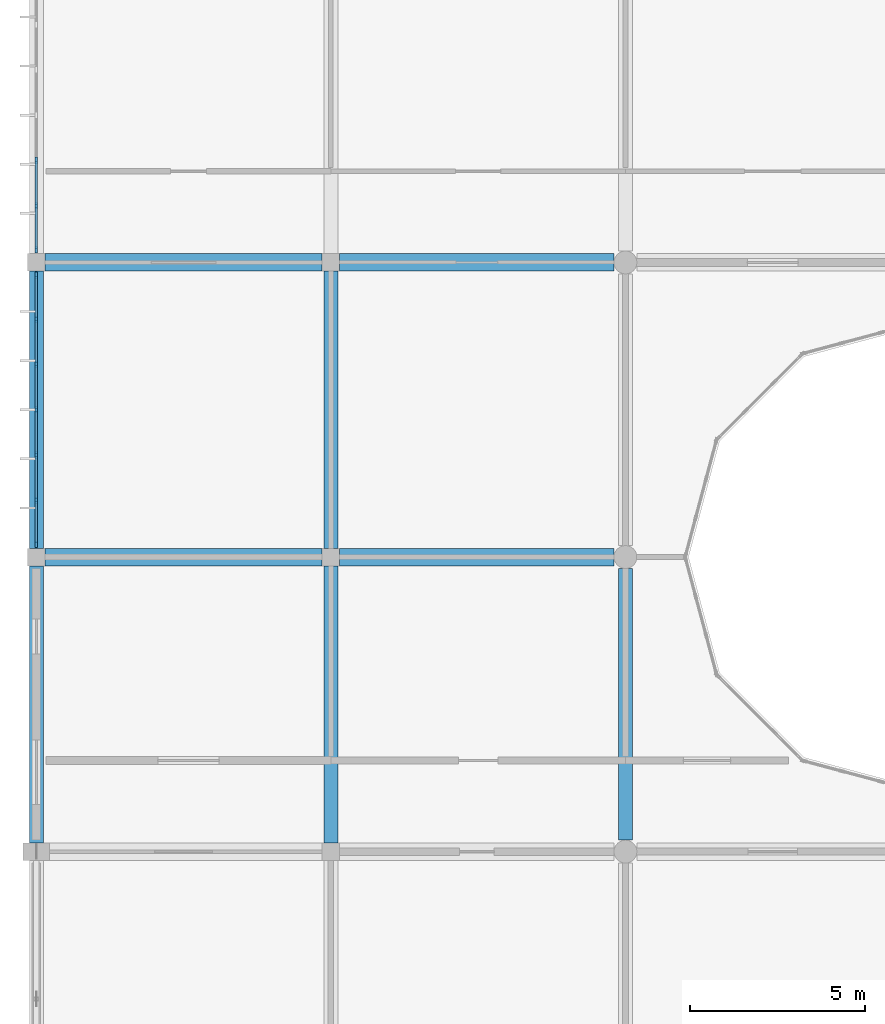
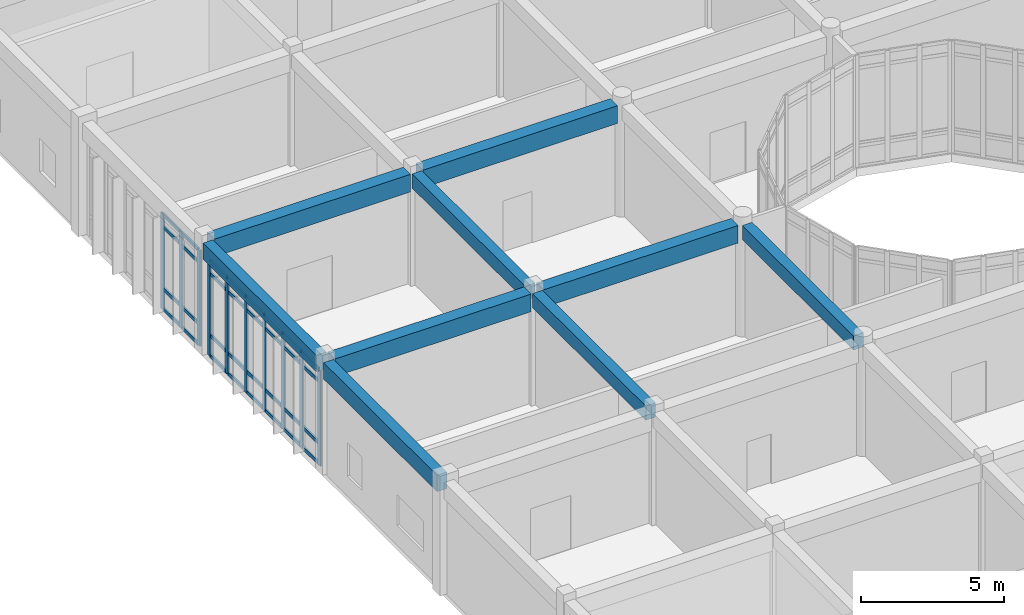
# One storey, part 31 of 134: 42 members, 9 beams, 2 elements without a shape of their own.
"""IFC4 building model written with IfcOpenShell, lengths in metres."""

from ifc_helpers import new_model, si_unit, direction, frame, origin, origin_2d, place, context, subcontext, project, spatial, rectangle, extrude, material, layer, layer_set, material_profile, profile_set, type_object, element, aggregate, save


model = new_model("IFC4")

# Units and contexts
model_context = context("Model", 3, precision=1e-05, world=origin(), true_north=direction((0.0, 1.0)))
body_context = subcontext(model_context, "Body", "Model", "MODEL_VIEW")
ifc_project = project(units=[si_unit("LENGTHUNIT", "METRE"), si_unit("AREAUNIT", "SQUARE_METRE"), si_unit("VOLUMEUNIT", "CUBIC_METRE"), si_unit("PLANEANGLEUNIT", "RADIAN"), si_unit("MASSUNIT", "GRAM", prefix="KILO")], contexts=[model_context])

# Site, building, storey
site_placement = place(None, origin())
site = spatial("IfcSite", under=ifc_project, at=site_placement, CompositionType="ELEMENT")
building_placement = place(site_placement, origin())
building = spatial("IfcBuilding", under=site, at=building_placement, Name="Bramfleet General Hospital", CompositionType="ELEMENT")
storey_placement = place(building_placement, frame((0.0, 0.0, 9.300048828125)))
storey = spatial("IfcBuildingStorey", under=building, at=storey_placement, Name="L02", CompositionType="ELEMENT", Elevation=9.300048828125)

# Beams
ifc_material_1 = material(Name="Concrete C35/45", Category="concrete")
ifc_material_profile_1 = material_profile(ifc_material_1, rectangle(XDim=0.39990234375, YDim=0.60009765625, at=origin_2d()), Name="RC BM 600x400")
ifc_profile_set_1 = profile_set([ifc_material_profile_1], Name="Concrete C35/45")
beam_type_1 = type_object("IfcBeamType", Name="BM-RC600", PredefinedType="BEAM", material=ifc_profile_set_1)
for number, where, z_axis, x_axis, name in (
    (1, (8.39990234375, 75.85009765625, 4.47998046875), (0.0, 1.0, 0.0), (-1.0, 0.0, 0.0), "L02 Grid Beam Y 01-09"),
    (2, (8.39990234375, 84.25, 4.47998046875), (0.0, 1.0, 0.0), (-1.0, 0.0, 0.0), "L02 Grid Beam Y 01-10"),
):
    element("IfcBeam", number, at=place(storey_placement, frame(where, z_axis=z_axis, x_axis=x_axis)), inside=storey, type_object=beam_type_1, Name=name, PredefinedType="BEAM", context=body_context, shape_type="SweptSolid", body=[
        extrude(rectangle(XDim=0.39990234375, YDim=0.60009765625, at=origin_2d()), origin(), (0.0, 0.0, 1.0), 7.89990234375),
    ])
beam_placement = place(storey_placement, frame((16.800048828125, 75.925048828125, 4.47998046875), z_axis=(0.0, 1.0, 0.0), x_axis=(-1.0, 0.0, 0.0)))
element("IfcBeam", 3, at=beam_placement, inside=storey, type_object=beam_type_1, Name="L02 Grid Beam Y 02-09", PredefinedType="BEAM", context=body_context, shape_type="SweptSolid", body=[
    extrude(rectangle(XDim=0.39990234375, YDim=0.60009765625, at=origin_2d()), origin(), (0.0, 0.0, 1.0), 7.75),
])
ifc_material_profile_2 = material_profile(ifc_material_1, rectangle(XDim=0.5, YDim=0.75, at=origin_2d()), Name="RC BM 750x500")
ifc_profile_set_2 = profile_set([ifc_material_profile_2], Name="Concrete C35/45")
beam_type_2 = type_object("IfcBeamType", Name="BM-RC750", PredefinedType="BEAM", material=ifc_profile_set_2)
for number, where, z_axis, x_axis, name in (
    (4, (0.25, 84.0, 4.405029296875), (1.0, 0.0, 0.0), (0.0, 1.0, 0.0), "L02 Grid Beam X 00-10"),
    (5, (0.25, 92.39990234375, 4.405029296875), (1.0, 0.0, 0.0), (0.0, 1.0, 0.0), "L02 Grid Beam X 00-11"),
):
    element("IfcBeam", number, at=place(storey_placement, frame(where, z_axis=z_axis, x_axis=x_axis)), inside=storey, type_object=beam_type_2, Name=name, PredefinedType="BEAM", context=body_context, shape_type="SweptSolid", body=[
        extrude(rectangle(XDim=0.5, YDim=0.75, at=origin_2d()), origin(), (0.0, 0.0, 1.0), 7.89990234375),
    ])
for number, where, z_axis, x_axis, name in (
    (6, (8.64990234375, 84.0, 4.405029296875), (1.0, 0.0, 0.0), (0.0, 1.0, 0.0), "L02 Grid Beam X 01-10"),
    (7, (8.64990234375, 92.39990234375, 4.405029296875), (1.0, 0.0, 0.0), (0.0, 1.0, 0.0), "L02 Grid Beam X 01-11"),
):
    element("IfcBeam", number, at=place(storey_placement, frame(where, z_axis=z_axis, x_axis=x_axis)), inside=storey, type_object=beam_type_2, Name=name, PredefinedType="BEAM", context=body_context, shape_type="SweptSolid", body=[
        extrude(rectangle(XDim=0.5, YDim=0.75, at=origin_2d()), origin(), (0.0, 0.0, 1.0), 7.8251953125),
    ])
ifc_material_profile_3 = material_profile(ifc_material_1, rectangle(XDim=0.39990234375, YDim=0.699951171875, at=origin_2d()), Name="RC SP 700x400")
ifc_profile_set_3 = profile_set([ifc_material_profile_3], Name="Concrete C35/45")
beam_type_3 = type_object("IfcBeamType", Name="BM-SP700", PredefinedType="SPANDREL", material=ifc_profile_set_3)
for number, where, z_axis, x_axis, name in (
    (8, (0.0, 75.85009765625, 4.429931640625), (0.0, 1.0, 0.0), (-1.0, 0.0, 0.0), "L02 Grid Beam Y 00-09"),
    (9, (0.0, 84.25, 4.429931640625), (0.0, 1.0, 0.0), (-1.0, 0.0, 0.0), "L02 Grid Beam Y 00-10"),
):
    element("IfcBeam", number, at=place(storey_placement, frame(where, z_axis=z_axis, x_axis=x_axis)), inside=storey, type_object=beam_type_3, Name=name, PredefinedType="SPANDREL", context=body_context, shape_type="SweptSolid", body=[
        extrude(rectangle(XDim=0.39990234375, YDim=0.699951171875, at=origin_2d()), origin(), (0.0, 0.0, 1.0), 7.89990234375),
    ])

# Curtain wall, members
ifc_material_2 = material(Name="Anodised aluminium and low-E triple glazing", Category="aluminium")
ifc_layer_1 = layer(ifc_material_2, 0.179931640625, Name="CWT-CW-05")
ifc_layer_set_1 = layer_set([ifc_layer_1], Name="Anodised aluminium and low-E triple glazing")
curtain_wall_type_1 = type_object("IfcCurtainWallType", Name="CWT-CW-05", PredefinedType="USERDEFINED", material=ifc_layer_set_1)
curtain_wall_1_placement = place(storey_placement, origin())
curtain_wall_1 = element("IfcCurtainWall", 10, at=curtain_wall_1_placement, inside=storey, type_object=curtain_wall_type_1, Name="L02 Curtain Wall 95", ObjectType="Unitised curtain wall", PredefinedType="USERDEFINED")
ifc_material_3 = material(Name="Structural timber GL28h", Category="wood")
ifc_material_profile_4 = material_profile(ifc_material_3, rectangle(XDim=0.070068359375, YDim=0.18994140625, at=origin_2d()), Name="LARCH 190x70")
ifc_profile_set_4 = profile_set([ifc_material_profile_4], Name="Structural timber GL28h")
member_type_1 = type_object("IfcMemberType", Name="CWM-LARCH450", PredefinedType="MULLION", material=ifc_profile_set_4)
member_1_placement = place(storey_placement, frame((0.0, 84.360107421875, 0.0), z_axis=(0.0, 0.0, 1.0), x_axis=(-1.0, 0.0, 0.0)))
member_1 = element("IfcMember", 11, at=member_1_placement, type_object=member_type_1, Name="CW-05 mullion 1", PredefinedType="MULLION", context=body_context, shape_type="SweptSolid", body=[
    extrude(rectangle(XDim=0.070068359375, YDim=0.18994140625, at=origin_2d()), origin(), (0.0, 0.0, 1.0), 4.070068359375),
])
member_2_placement = place(storey_placement, frame((0.0, 85.61669921875, 0.0), z_axis=(0.0, 0.0, 1.0), x_axis=(-1.0, 0.0, 0.0)))
member_2 = element("IfcMember", 12, at=member_2_placement, type_object=member_type_1, Name="CW-05 mullion 2", PredefinedType="MULLION", context=body_context, shape_type="SweptSolid", body=[
    extrude(rectangle(XDim=0.070068359375, YDim=0.18994140625, at=origin_2d()), origin(), (0.0, 0.0, 1.0), 4.070068359375),
])
member_3_placement = place(storey_placement, frame((0.0, 86.908447265625, 0.0), z_axis=(0.0, 0.0, 1.0), x_axis=(-1.0, 0.0, 0.0)))
member_3 = element("IfcMember", 13, at=member_3_placement, type_object=member_type_1, Name="CW-05 mullion 3", PredefinedType="MULLION", context=body_context, shape_type="SweptSolid", body=[
    extrude(rectangle(XDim=0.070068359375, YDim=0.18994140625, at=origin_2d()), origin(), (0.0, 0.0, 1.0), 4.070068359375),
])
member_4_placement = place(storey_placement, frame((0.0, 88.199951171875, 0.0), z_axis=(0.0, 0.0, 1.0), x_axis=(-1.0, 0.0, 0.0)))
member_4 = element("IfcMember", 14, at=member_4_placement, type_object=member_type_1, Name="CW-05 mullion 4", PredefinedType="MULLION", context=body_context, shape_type="SweptSolid", body=[
    extrude(rectangle(XDim=0.070068359375, YDim=0.18994140625, at=origin_2d()), origin(), (0.0, 0.0, 1.0), 4.070068359375),
])
member_5_placement = place(storey_placement, frame((0.0, 89.49169921875, 0.0), z_axis=(0.0, 0.0, 1.0), x_axis=(-1.0, 0.0, 0.0)))
member_5 = element("IfcMember", 15, at=member_5_placement, type_object=member_type_1, Name="CW-05 mullion 5", PredefinedType="MULLION", context=body_context, shape_type="SweptSolid", body=[
    extrude(rectangle(XDim=0.070068359375, YDim=0.18994140625, at=origin_2d()), origin(), (0.0, 0.0, 1.0), 4.070068359375),
])
member_6_placement = place(storey_placement, frame((0.0, 90.783447265625, 0.0), z_axis=(0.0, 0.0, 1.0), x_axis=(-1.0, 0.0, 0.0)))
member_6 = element("IfcMember", 16, at=member_6_placement, type_object=member_type_1, Name="CW-05 mullion 6", PredefinedType="MULLION", context=body_context, shape_type="SweptSolid", body=[
    extrude(rectangle(XDim=0.070068359375, YDim=0.18994140625, at=origin_2d()), origin(), (0.0, 0.0, 1.0), 4.070068359375),
])
member_7_placement = place(storey_placement, frame((0.0, 92.0400390625, 0.0), z_axis=(0.0, 0.0, 1.0), x_axis=(-1.0, 0.0, 0.0)))
member_7 = element("IfcMember", 17, at=member_7_placement, type_object=member_type_1, Name="CW-05 mullion 7", PredefinedType="MULLION", context=body_context, shape_type="SweptSolid", body=[
    extrude(rectangle(XDim=0.070068359375, YDim=0.18994140625, at=origin_2d()), origin(), (0.0, 0.0, 1.0), 4.070068359375),
])

ifc_layer_2 = layer(ifc_material_2, 0.179931640625, Name="CWT-CW-06")
ifc_layer_set_2 = layer_set([ifc_layer_2], Name="Anodised aluminium and low-E triple glazing")
curtain_wall_type_2 = type_object("IfcCurtainWallType", Name="CWT-CW-06", PredefinedType="USERDEFINED", material=ifc_layer_set_2)
curtain_wall_2_placement = place(storey_placement, origin())
curtain_wall_2 = element("IfcCurtainWall", 18, at=curtain_wall_2_placement, inside=storey, type_object=curtain_wall_type_2, Name="L02 Curtain Wall 96", ObjectType="Unitised curtain wall", PredefinedType="USERDEFINED")
member_8_placement = place(storey_placement, frame((0.0, 92.760009765625, 0.0), z_axis=(0.0, 0.0, 1.0), x_axis=(-1.0, 0.0, 0.0)))
member_8 = element("IfcMember", 19, at=member_8_placement, type_object=member_type_1, Name="CW-06 mullion 1", PredefinedType="MULLION", context=body_context, shape_type="SweptSolid", body=[
    extrude(rectangle(XDim=0.070068359375, YDim=0.18994140625, at=origin_2d()), origin(), (0.0, 0.0, 1.0), 4.070068359375),
])
member_9_placement = place(storey_placement, frame((0.0, 94.0166015625, 0.0), z_axis=(0.0, 0.0, 1.0), x_axis=(-1.0, 0.0, 0.0)))
member_9 = element("IfcMember", 20, at=member_9_placement, type_object=member_type_1, Name="CW-06 mullion 2", PredefinedType="MULLION", context=body_context, shape_type="SweptSolid", body=[
    extrude(rectangle(XDim=0.070068359375, YDim=0.18994140625, at=origin_2d()), origin(), (0.0, 0.0, 1.0), 4.070068359375),
])
member_10_placement = place(storey_placement, frame((0.0, 95.308349609375, 0.0), z_axis=(0.0, 0.0, 1.0), x_axis=(-1.0, 0.0, 0.0)))
member_10 = element("IfcMember", 21, at=member_10_placement, type_object=member_type_1, Name="CW-06 mullion 3", PredefinedType="MULLION", context=body_context, shape_type="SweptSolid", body=[
    extrude(rectangle(XDim=0.070068359375, YDim=0.18994140625, at=origin_2d()), origin(), (0.0, 0.0, 1.0), 4.070068359375),
])

# Member
ifc_material_profile_5 = material_profile(ifc_material_3, rectangle(XDim=0.06494140625, YDim=0.14990234375, at=origin_2d()), Name="LARCH 150x65")
ifc_profile_set_5 = profile_set([ifc_material_profile_5], Name="Structural timber GL28h")
member_type_2 = type_object("IfcMemberType", Name="CWT-LARCH220", PredefinedType="USERDEFINED", material=ifc_profile_set_5)
member_11_placement = place(storey_placement, frame((0.0, 84.39501953125, 0.032470703125), z_axis=(0.0, 1.0, 0.0), x_axis=(-1.0, 0.0, 0.0)))
member_11 = element("IfcMember", 22, at=member_11_placement, type_object=member_type_2, Name="CW-05 transom 1.1", ObjectType="TRANSOM", PredefinedType="USERDEFINED", context=body_context, shape_type="SweptSolid", body=[
    extrude(rectangle(XDim=0.06494140625, YDim=0.14990234375, at=origin_2d()), origin(), (0.0, 0.0, 1.0), 1.186767578125),
])

member_12_placement = place(storey_placement, frame((0.0, 84.39501953125, 0.89990234375), z_axis=(0.0, 1.0, 0.0), x_axis=(-1.0, 0.0, 0.0)))
member_12 = element("IfcMember", 23, at=member_12_placement, type_object=member_type_2, Name="CW-05 transom 1.2", ObjectType="TRANSOM", PredefinedType="USERDEFINED", context=body_context, shape_type="SweptSolid", body=[
    extrude(rectangle(XDim=0.06494140625, YDim=0.14990234375, at=origin_2d()), origin(), (0.0, 0.0, 1.0), 1.186767578125),
])

member_13_placement = place(storey_placement, frame((0.0, 84.39501953125, 3.52001953125), z_axis=(0.0, 1.0, 0.0), x_axis=(-1.0, 0.0, 0.0)))
member_13 = element("IfcMember", 24, at=member_13_placement, type_object=member_type_2, Name="CW-05 transom 1.3", ObjectType="TRANSOM", PredefinedType="USERDEFINED", context=body_context, shape_type="SweptSolid", body=[
    extrude(rectangle(XDim=0.06494140625, YDim=0.14990234375, at=origin_2d()), origin(), (0.0, 0.0, 1.0), 1.186767578125),
])

member_14_placement = place(storey_placement, frame((0.0, 84.39501953125, 4.037353515625), z_axis=(0.0, 1.0, 0.0), x_axis=(-1.0, 0.0, 0.0)))
member_14 = element("IfcMember", 25, at=member_14_placement, type_object=member_type_2, Name="CW-05 transom 1.4", ObjectType="TRANSOM", PredefinedType="USERDEFINED", context=body_context, shape_type="SweptSolid", body=[
    extrude(rectangle(XDim=0.06494140625, YDim=0.14990234375, at=origin_2d()), origin(), (0.0, 0.0, 1.0), 1.186767578125),
])

member_15_placement = place(storey_placement, frame((0.0, 85.651611328125, 0.032470703125), z_axis=(0.0, 1.0, 0.0), x_axis=(-1.0, 0.0, 0.0)))
member_15 = element("IfcMember", 26, at=member_15_placement, type_object=member_type_2, Name="CW-05 transom 2.1", ObjectType="TRANSOM", PredefinedType="USERDEFINED", context=body_context, shape_type="SweptSolid", body=[
    extrude(rectangle(XDim=0.06494140625, YDim=0.14990234375, at=origin_2d()), origin(), (0.0, 0.0, 1.0), 1.2216796875),
])

member_16_placement = place(storey_placement, frame((0.0, 85.651611328125, 0.89990234375), z_axis=(0.0, 1.0, 0.0), x_axis=(-1.0, 0.0, 0.0)))
member_16 = element("IfcMember", 27, at=member_16_placement, type_object=member_type_2, Name="CW-05 transom 2.2", ObjectType="TRANSOM", PredefinedType="USERDEFINED", context=body_context, shape_type="SweptSolid", body=[
    extrude(rectangle(XDim=0.06494140625, YDim=0.14990234375, at=origin_2d()), origin(), (0.0, 0.0, 1.0), 1.2216796875),
])

member_17_placement = place(storey_placement, frame((0.0, 85.651611328125, 3.52001953125), z_axis=(0.0, 1.0, 0.0), x_axis=(-1.0, 0.0, 0.0)))
member_17 = element("IfcMember", 28, at=member_17_placement, type_object=member_type_2, Name="CW-05 transom 2.3", ObjectType="TRANSOM", PredefinedType="USERDEFINED", context=body_context, shape_type="SweptSolid", body=[
    extrude(rectangle(XDim=0.06494140625, YDim=0.14990234375, at=origin_2d()), origin(), (0.0, 0.0, 1.0), 1.2216796875),
])

member_18_placement = place(storey_placement, frame((0.0, 85.651611328125, 4.037353515625), z_axis=(0.0, 1.0, 0.0), x_axis=(-1.0, 0.0, 0.0)))
member_18 = element("IfcMember", 29, at=member_18_placement, type_object=member_type_2, Name="CW-05 transom 2.4", ObjectType="TRANSOM", PredefinedType="USERDEFINED", context=body_context, shape_type="SweptSolid", body=[
    extrude(rectangle(XDim=0.06494140625, YDim=0.14990234375, at=origin_2d()), origin(), (0.0, 0.0, 1.0), 1.2216796875),
])

member_19_placement = place(storey_placement, frame((0.0, 86.943359375, 0.032470703125), z_axis=(0.0, 1.0, 0.0), x_axis=(-1.0, 0.0, 0.0)))
member_19 = element("IfcMember", 30, at=member_19_placement, type_object=member_type_2, Name="CW-05 transom 3.1", ObjectType="TRANSOM", PredefinedType="USERDEFINED", context=body_context, shape_type="SweptSolid", body=[
    extrude(rectangle(XDim=0.06494140625, YDim=0.14990234375, at=origin_2d()), origin(), (0.0, 0.0, 1.0), 1.2216796875),
])

member_20_placement = place(storey_placement, frame((0.0, 86.943359375, 0.89990234375), z_axis=(0.0, 1.0, 0.0), x_axis=(-1.0, 0.0, 0.0)))
member_20 = element("IfcMember", 31, at=member_20_placement, type_object=member_type_2, Name="CW-05 transom 3.2", ObjectType="TRANSOM", PredefinedType="USERDEFINED", context=body_context, shape_type="SweptSolid", body=[
    extrude(rectangle(XDim=0.06494140625, YDim=0.14990234375, at=origin_2d()), origin(), (0.0, 0.0, 1.0), 1.2216796875),
])

member_21_placement = place(storey_placement, frame((0.0, 86.943359375, 3.52001953125), z_axis=(0.0, 1.0, 0.0), x_axis=(-1.0, 0.0, 0.0)))
member_21 = element("IfcMember", 32, at=member_21_placement, type_object=member_type_2, Name="CW-05 transom 3.3", ObjectType="TRANSOM", PredefinedType="USERDEFINED", context=body_context, shape_type="SweptSolid", body=[
    extrude(rectangle(XDim=0.06494140625, YDim=0.14990234375, at=origin_2d()), origin(), (0.0, 0.0, 1.0), 1.2216796875),
])

member_22_placement = place(storey_placement, frame((0.0, 86.943359375, 4.037353515625), z_axis=(0.0, 1.0, 0.0), x_axis=(-1.0, 0.0, 0.0)))
member_22 = element("IfcMember", 33, at=member_22_placement, type_object=member_type_2, Name="CW-05 transom 3.4", ObjectType="TRANSOM", PredefinedType="USERDEFINED", context=body_context, shape_type="SweptSolid", body=[
    extrude(rectangle(XDim=0.06494140625, YDim=0.14990234375, at=origin_2d()), origin(), (0.0, 0.0, 1.0), 1.2216796875),
])

member_23_placement = place(storey_placement, frame((0.0, 88.235107421875, 0.032470703125), z_axis=(0.0, 1.0, 0.0), x_axis=(-1.0, 0.0, 0.0)))
member_23 = element("IfcMember", 34, at=member_23_placement, type_object=member_type_2, Name="CW-05 transom 4.1", ObjectType="TRANSOM", PredefinedType="USERDEFINED", context=body_context, shape_type="SweptSolid", body=[
    extrude(rectangle(XDim=0.06494140625, YDim=0.14990234375, at=origin_2d()), origin(), (0.0, 0.0, 1.0), 1.2216796875),
])

member_24_placement = place(storey_placement, frame((0.0, 88.235107421875, 0.89990234375), z_axis=(0.0, 1.0, 0.0), x_axis=(-1.0, 0.0, 0.0)))
member_24 = element("IfcMember", 35, at=member_24_placement, type_object=member_type_2, Name="CW-05 transom 4.2", ObjectType="TRANSOM", PredefinedType="USERDEFINED", context=body_context, shape_type="SweptSolid", body=[
    extrude(rectangle(XDim=0.06494140625, YDim=0.14990234375, at=origin_2d()), origin(), (0.0, 0.0, 1.0), 1.2216796875),
])

member_25_placement = place(storey_placement, frame((0.0, 88.235107421875, 3.52001953125), z_axis=(0.0, 1.0, 0.0), x_axis=(-1.0, 0.0, 0.0)))
member_25 = element("IfcMember", 36, at=member_25_placement, type_object=member_type_2, Name="CW-05 transom 4.3", ObjectType="TRANSOM", PredefinedType="USERDEFINED", context=body_context, shape_type="SweptSolid", body=[
    extrude(rectangle(XDim=0.06494140625, YDim=0.14990234375, at=origin_2d()), origin(), (0.0, 0.0, 1.0), 1.2216796875),
])

member_26_placement = place(storey_placement, frame((0.0, 88.235107421875, 4.037353515625), z_axis=(0.0, 1.0, 0.0), x_axis=(-1.0, 0.0, 0.0)))
member_26 = element("IfcMember", 37, at=member_26_placement, type_object=member_type_2, Name="CW-05 transom 4.4", ObjectType="TRANSOM", PredefinedType="USERDEFINED", context=body_context, shape_type="SweptSolid", body=[
    extrude(rectangle(XDim=0.06494140625, YDim=0.14990234375, at=origin_2d()), origin(), (0.0, 0.0, 1.0), 1.2216796875),
])

member_27_placement = place(storey_placement, frame((0.0, 89.526611328125, 0.032470703125), z_axis=(0.0, 1.0, 0.0), x_axis=(-1.0, 0.0, 0.0)))
member_27 = element("IfcMember", 38, at=member_27_placement, type_object=member_type_2, Name="CW-05 transom 5.1", ObjectType="TRANSOM", PredefinedType="USERDEFINED", context=body_context, shape_type="SweptSolid", body=[
    extrude(rectangle(XDim=0.06494140625, YDim=0.14990234375, at=origin_2d()), origin(), (0.0, 0.0, 1.0), 1.2216796875),
])

member_28_placement = place(storey_placement, frame((0.0, 89.526611328125, 0.89990234375), z_axis=(0.0, 1.0, 0.0), x_axis=(-1.0, 0.0, 0.0)))
member_28 = element("IfcMember", 39, at=member_28_placement, type_object=member_type_2, Name="CW-05 transom 5.2", ObjectType="TRANSOM", PredefinedType="USERDEFINED", context=body_context, shape_type="SweptSolid", body=[
    extrude(rectangle(XDim=0.06494140625, YDim=0.14990234375, at=origin_2d()), origin(), (0.0, 0.0, 1.0), 1.2216796875),
])

member_29_placement = place(storey_placement, frame((0.0, 89.526611328125, 3.52001953125), z_axis=(0.0, 1.0, 0.0), x_axis=(-1.0, 0.0, 0.0)))
member_29 = element("IfcMember", 40, at=member_29_placement, type_object=member_type_2, Name="CW-05 transom 5.3", ObjectType="TRANSOM", PredefinedType="USERDEFINED", context=body_context, shape_type="SweptSolid", body=[
    extrude(rectangle(XDim=0.06494140625, YDim=0.14990234375, at=origin_2d()), origin(), (0.0, 0.0, 1.0), 1.2216796875),
])

member_30_placement = place(storey_placement, frame((0.0, 89.526611328125, 4.037353515625), z_axis=(0.0, 1.0, 0.0), x_axis=(-1.0, 0.0, 0.0)))
member_30 = element("IfcMember", 41, at=member_30_placement, type_object=member_type_2, Name="CW-05 transom 5.4", ObjectType="TRANSOM", PredefinedType="USERDEFINED", context=body_context, shape_type="SweptSolid", body=[
    extrude(rectangle(XDim=0.06494140625, YDim=0.14990234375, at=origin_2d()), origin(), (0.0, 0.0, 1.0), 1.2216796875),
])

member_31_placement = place(storey_placement, frame((0.0, 90.818359375, 0.032470703125), z_axis=(0.0, 1.0, 0.0), x_axis=(-1.0, 0.0, 0.0)))
member_31 = element("IfcMember", 42, at=member_31_placement, type_object=member_type_2, Name="CW-05 transom 6.1", ObjectType="TRANSOM", PredefinedType="USERDEFINED", context=body_context, shape_type="SweptSolid", body=[
    extrude(rectangle(XDim=0.06494140625, YDim=0.14990234375, at=origin_2d()), origin(), (0.0, 0.0, 1.0), 1.1865234375),
])

member_32_placement = place(storey_placement, frame((0.0, 90.818359375, 0.89990234375), z_axis=(0.0, 1.0, 0.0), x_axis=(-1.0, 0.0, 0.0)))
member_32 = element("IfcMember", 43, at=member_32_placement, type_object=member_type_2, Name="CW-05 transom 6.2", ObjectType="TRANSOM", PredefinedType="USERDEFINED", context=body_context, shape_type="SweptSolid", body=[
    extrude(rectangle(XDim=0.06494140625, YDim=0.14990234375, at=origin_2d()), origin(), (0.0, 0.0, 1.0), 1.1865234375),
])

member_33_placement = place(storey_placement, frame((0.0, 90.818359375, 3.52001953125), z_axis=(0.0, 1.0, 0.0), x_axis=(-1.0, 0.0, 0.0)))
member_33 = element("IfcMember", 44, at=member_33_placement, type_object=member_type_2, Name="CW-05 transom 6.3", ObjectType="TRANSOM", PredefinedType="USERDEFINED", context=body_context, shape_type="SweptSolid", body=[
    extrude(rectangle(XDim=0.06494140625, YDim=0.14990234375, at=origin_2d()), origin(), (0.0, 0.0, 1.0), 1.1865234375),
])

member_34_placement = place(storey_placement, frame((0.0, 90.818359375, 4.037353515625), z_axis=(0.0, 1.0, 0.0), x_axis=(-1.0, 0.0, 0.0)))
member_34 = element("IfcMember", 45, at=member_34_placement, type_object=member_type_2, Name="CW-05 transom 6.4", ObjectType="TRANSOM", PredefinedType="USERDEFINED", context=body_context, shape_type="SweptSolid", body=[
    extrude(rectangle(XDim=0.06494140625, YDim=0.14990234375, at=origin_2d()), origin(), (0.0, 0.0, 1.0), 1.1865234375),
])

aggregate(curtain_wall_1, [member_1, member_2, member_3, member_4, member_5, member_6, member_7, member_11, member_12, member_13, member_14, member_15, member_16, member_17, member_18, member_19, member_20, member_21, member_22, member_23, member_24, member_25, member_26, member_27, member_28, member_29, member_30, member_31, member_32, member_33, member_34])

member_35_placement = place(storey_placement, frame((0.0, 92.794921875, 0.032470703125), z_axis=(0.0, 1.0, 0.0), x_axis=(-1.0, 0.0, 0.0)))
member_35 = element("IfcMember", 46, at=member_35_placement, type_object=member_type_2, Name="CW-06 transom 1.1", ObjectType="TRANSOM", PredefinedType="USERDEFINED", context=body_context, shape_type="SweptSolid", body=[
    extrude(rectangle(XDim=0.06494140625, YDim=0.14990234375, at=origin_2d()), origin(), (0.0, 0.0, 1.0), 1.186767578125),
])

member_36_placement = place(storey_placement, frame((0.0, 92.794921875, 0.89990234375), z_axis=(0.0, 1.0, 0.0), x_axis=(-1.0, 0.0, 0.0)))
member_36 = element("IfcMember", 47, at=member_36_placement, type_object=member_type_2, Name="CW-06 transom 1.2", ObjectType="TRANSOM", PredefinedType="USERDEFINED", context=body_context, shape_type="SweptSolid", body=[
    extrude(rectangle(XDim=0.06494140625, YDim=0.14990234375, at=origin_2d()), origin(), (0.0, 0.0, 1.0), 1.186767578125),
])

member_37_placement = place(storey_placement, frame((0.0, 92.794921875, 3.52001953125), z_axis=(0.0, 1.0, 0.0), x_axis=(-1.0, 0.0, 0.0)))
member_37 = element("IfcMember", 48, at=member_37_placement, type_object=member_type_2, Name="CW-06 transom 1.3", ObjectType="TRANSOM", PredefinedType="USERDEFINED", context=body_context, shape_type="SweptSolid", body=[
    extrude(rectangle(XDim=0.06494140625, YDim=0.14990234375, at=origin_2d()), origin(), (0.0, 0.0, 1.0), 1.186767578125),
])

member_38_placement = place(storey_placement, frame((0.0, 92.794921875, 4.037353515625), z_axis=(0.0, 1.0, 0.0), x_axis=(-1.0, 0.0, 0.0)))
member_38 = element("IfcMember", 49, at=member_38_placement, type_object=member_type_2, Name="CW-06 transom 1.4", ObjectType="TRANSOM", PredefinedType="USERDEFINED", context=body_context, shape_type="SweptSolid", body=[
    extrude(rectangle(XDim=0.06494140625, YDim=0.14990234375, at=origin_2d()), origin(), (0.0, 0.0, 1.0), 1.186767578125),
])

member_39_placement = place(storey_placement, frame((0.0, 94.0517578125, 0.032470703125), z_axis=(0.0, 1.0, 0.0), x_axis=(-1.0, 0.0, 0.0)))
member_39 = element("IfcMember", 50, at=member_39_placement, type_object=member_type_2, Name="CW-06 transom 2.1", ObjectType="TRANSOM", PredefinedType="USERDEFINED", context=body_context, shape_type="SweptSolid", body=[
    extrude(rectangle(XDim=0.06494140625, YDim=0.14990234375, at=origin_2d()), origin(), (0.0, 0.0, 1.0), 1.2216796875),
])

member_40_placement = place(storey_placement, frame((0.0, 94.0517578125, 0.89990234375), z_axis=(0.0, 1.0, 0.0), x_axis=(-1.0, 0.0, 0.0)))
member_40 = element("IfcMember", 51, at=member_40_placement, type_object=member_type_2, Name="CW-06 transom 2.2", ObjectType="TRANSOM", PredefinedType="USERDEFINED", context=body_context, shape_type="SweptSolid", body=[
    extrude(rectangle(XDim=0.06494140625, YDim=0.14990234375, at=origin_2d()), origin(), (0.0, 0.0, 1.0), 1.2216796875),
])

member_41_placement = place(storey_placement, frame((0.0, 94.0517578125, 3.52001953125), z_axis=(0.0, 1.0, 0.0), x_axis=(-1.0, 0.0, 0.0)))
member_41 = element("IfcMember", 52, at=member_41_placement, type_object=member_type_2, Name="CW-06 transom 2.3", ObjectType="TRANSOM", PredefinedType="USERDEFINED", context=body_context, shape_type="SweptSolid", body=[
    extrude(rectangle(XDim=0.06494140625, YDim=0.14990234375, at=origin_2d()), origin(), (0.0, 0.0, 1.0), 1.2216796875),
])

member_42_placement = place(storey_placement, frame((0.0, 94.0517578125, 4.037353515625), z_axis=(0.0, 1.0, 0.0), x_axis=(-1.0, 0.0, 0.0)))
member_42 = element("IfcMember", 53, at=member_42_placement, type_object=member_type_2, Name="CW-06 transom 2.4", ObjectType="TRANSOM", PredefinedType="USERDEFINED", context=body_context, shape_type="SweptSolid", body=[
    extrude(rectangle(XDim=0.06494140625, YDim=0.14990234375, at=origin_2d()), origin(), (0.0, 0.0, 1.0), 1.2216796875),
])

aggregate(curtain_wall_2, [member_8, member_9, member_10, member_35, member_36, member_37, member_38, member_39, member_40, member_41, member_42])

save(model, "model.ifc")
